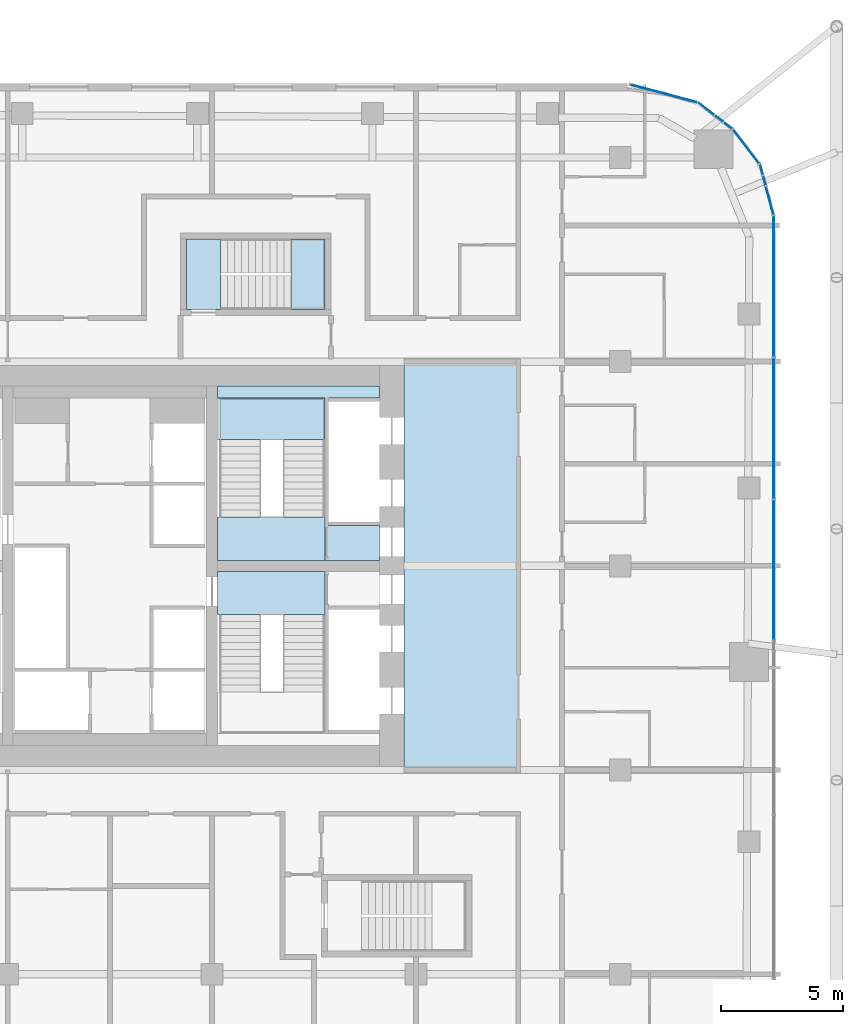
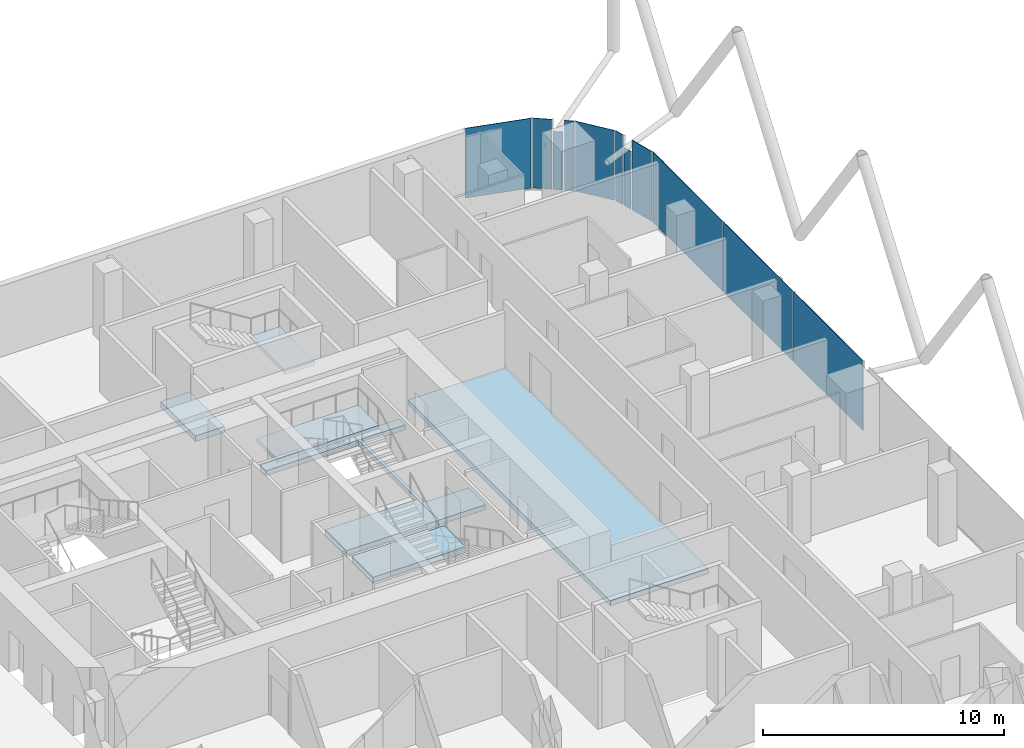
# One storey, part 26 of 36: 11 plates, 7 slabs, 11 elements without a shape of their own.
"""IFC4 building model written with IfcOpenShell, lengths in metres."""

from ifc_helpers import new_model, si_unit, direction, frame, origin, origin_2d, place, context, subcontext, project, spatial, polyline, rectangle, outline, extrude, material, layer, layer_set, type_object, element, aggregate, save


model = new_model("IFC4")

# Units and contexts
model_context = context("Model", 3, precision=1e-05, world=origin(), true_north=direction((0.0, 1.0)))
body_context = subcontext(model_context, "Body", "Model", "MODEL_VIEW")
ifc_project = project(units=[si_unit("LENGTHUNIT", "METRE"), si_unit("AREAUNIT", "SQUARE_METRE"), si_unit("VOLUMEUNIT", "CUBIC_METRE"), si_unit("PLANEANGLEUNIT", "RADIAN"), si_unit("MASSUNIT", "GRAM", prefix="KILO")], contexts=[model_context])

# Site, building, storey
site_placement = place(None, origin())
site = spatial("IfcSite", under=ifc_project, at=site_placement, CompositionType="ELEMENT")
building_placement = place(site_placement, origin())
building = spatial("IfcBuilding", under=site, at=building_placement, Name="Marenta Gate Hotel Tower", CompositionType="ELEMENT")
storey_placement = place(building_placement, frame((0.0, 0.0, 158.89990234375)))
storey = spatial("IfcBuildingStorey", under=building, at=storey_placement, Name="L37", CompositionType="ELEMENT", Elevation=158.89990234375)

# Slabs
ifc_material_1 = material(Name="Concrete C40", Category="concrete")
ifc_layer_1 = layer(ifc_material_1, 0.260009765625)
ifc_layer_set_1 = layer_set([ifc_layer_1], Name="Concrete C40")
slab_type_1 = type_object("IfcSlabType", Name="Core floor slab 260", PredefinedType="FLOOR", material=ifc_layer_set_1)
slab_1_placement = place(storey_placement, frame((0.0, 0.0, -0.260009765625)))
element("IfcSlab", 1, at=slab_1_placement, inside=storey, type_object=slab_type_1, Name="L37-CF-1", PredefinedType="FLOOR", context=body_context, shape_type="SweptSolid", body=[
    extrude(outline(polyline([(12.10009765625, 0.0), (12.10009765625, 16.800048828125), (16.800048828125, 16.800048828125), (16.800048828125, 0.0), (12.10009765625, 0.0)])), origin(), (0.0, 0.0, 1.0), 0.260009765625),
])
slab_2_placement = place(storey_placement, frame((0.0, 0.0, -0.260009765625)))
element("IfcSlab", 2, at=slab_2_placement, inside=storey, type_object=slab_type_1, Name="L37-CF-3", PredefinedType="FLOOR", context=body_context, shape_type="SweptSolid", body=[
    extrude(outline(polyline([(8.85009765625, 15.300048828125), (4.425048828125, 15.300048828125), (4.425048828125, 15.800048828125), (11.10009765625, 15.800048828125), (11.10009765625, 15.300048828125), (9.0, 15.300048828125), (9.0, 15.14990234375), (9.0, 12.75), (9.0, 12.60009765625), (9.0, 10.199951171875), (9.0, 10.050048828125), (11.10009765625, 10.050048828125), (11.10009765625, 8.625), (8.85009765625, 8.625), (8.85009765625, 8.699951171875), (8.85009765625, 10.39990234375), (8.85009765625, 15.300048828125)])), origin(), (0.0, 0.0, 1.0), 0.260009765625),
])

# Stair, slab
ifc_material_2 = material(Name="Concrete C40", Category="concrete")
stair_type_1 = type_object("IfcStairType", Name="Core exit stair 1700 wide", PredefinedType="HALF_TURN_STAIR", material=ifc_material_2)
stair_1_placement = place(storey_placement, origin())
stair_1 = element("IfcStair", 3, at=stair_1_placement, inside=storey, type_object=stair_type_1, Name="Exit stair 4", PredefinedType="HALF_TURN_STAIR")
ifc_material_3 = material(Name="Concrete C40", Category="concrete")
ifc_layer_2 = layer(ifc_material_3, 0.199951171875)
ifc_layer_set_2 = layer_set([ifc_layer_2], Name="Concrete C40")
slab_type_2 = type_object("IfcSlabType", Name="Core stair landing 200", PredefinedType="LANDING", material=ifc_layer_set_2)
slab_3_placement = place(storey_placement, frame((0.0, 0.0, 1.60009765625)))
slab_3 = element("IfcSlab", 4, at=slab_3_placement, type_object=slab_type_2, Name="SL-200 ST4 landing 1", PredefinedType="LANDING", context=body_context, shape_type="SweptSolid", body=[
    extrude(outline(polyline([(3.97509765625, 13.590087890625), (8.85009765625, 13.590087890625), (8.85009765625, 15.300048828125), (3.97509765625, 15.300048828125), (3.97509765625, 13.590087890625)])), origin(), (0.0, 0.0, 1.0), 0.199951171875),
])
aggregate(stair_1, [slab_3])

# Curtain wall, plates
ifc_material_4 = material(Name="Tinted insulated glass in bronze anodised frame", Category="glass")
ifc_layer_3 = layer(ifc_material_4, 0.1201171875)
ifc_layer_set_3 = layer_set([ifc_layer_3], Name="Tinted insulated glass in bronze anodised frame")
curtain_wall_type = type_object("IfcCurtainWallType", Name="Tower unitised curtain wall CW1", PredefinedType="NOTDEFINED", material=ifc_layer_set_3)
curtain_wall_1_placement = place(storey_placement, origin())
curtain_wall_1 = element("IfcCurtainWall", 5, at=curtain_wall_1_placement, inside=storey, type_object=curtain_wall_type, Name="CW1 run G35", PredefinedType="NOTDEFINED")
ifc_material_5 = material(Name="Tinted insulated glass", Category="glass")
ifc_layer_4 = layer(ifc_material_5, 0.028076171875)
ifc_layer_set_4 = layer_set([ifc_layer_4], Name="Tinted insulated glass")
plate_type = type_object("IfcPlateType", Name="Glass panel CW1 28 mm tinted insulated unit", PredefinedType="CURTAIN_PANEL", material=ifc_layer_set_4)
plate_1_placement = place(storey_placement, frame((27.31396484375, 8.2333984375, 0.06005859375), z_axis=(0.0, 0.0, 1.0), x_axis=(0.0, 1.0, 0.0)))
plate_1 = element("IfcPlate", 6, at=plate_1_placement, type_object=plate_type, Name="CW1 panel 1.1", PredefinedType="CURTAIN_PANEL", context=body_context, shape_type="SweptSolid", body=[
    extrude(rectangle(XDim=5.739501953125, YDim=0.028076171875, at=origin_2d()), origin(), (0.0, 0.0, 1.0), 3.5400390625),
])
plate_2_placement = place(storey_placement, frame((27.31396484375, 14.0478515625, 0.06005859375), z_axis=(0.0, 0.0, 1.0), x_axis=(0.0, 1.0, 0.0)))
plate_2 = element("IfcPlate", 7, at=plate_2_placement, type_object=plate_type, Name="CW1 panel 2.1", PredefinedType="CURTAIN_PANEL", context=body_context, shape_type="SweptSolid", body=[
    extrude(rectangle(XDim=5.769287109375, YDim=0.028076171875, at=origin_2d()), origin(), (0.0, 0.0, 1.0), 3.5400390625),
])
plate_3_placement = place(storey_placement, frame((27.31396484375, 19.89208984375, 0.06005859375), z_axis=(0.0, 0.0, 1.0), x_axis=(0.0, 1.0, 0.0)))
plate_3 = element("IfcPlate", 8, at=plate_3_placement, type_object=plate_type, Name="CW1 panel 3.1", PredefinedType="CURTAIN_PANEL", context=body_context, shape_type="SweptSolid", body=[
    extrude(rectangle(XDim=5.79931640625, YDim=0.028076171875, at=origin_2d()), origin(), (0.0, 0.0, 1.0), 3.5400390625),
])
aggregate(curtain_wall_1, [plate_1, plate_2, plate_3])

# Curtain wall, plate
curtain_wall_2_placement = place(storey_placement, origin())
curtain_wall_2 = element("IfcCurtainWall", 9, at=curtain_wall_2_placement, inside=storey, type_object=curtain_wall_type, Name="CW1 run G36", PredefinedType="NOTDEFINED")
plate_4_placement = place(storey_placement, frame((27.14501953125, 23.422607421875, 0.06005859375), z_axis=(0.0, 0.0, 1.0), x_axis=(-0.258816313572, 0.965926558196, 0.0)))
plate_4 = element("IfcPlate", 10, at=plate_4_placement, type_object=plate_type, Name="CW1 panel 1.1", PredefinedType="CURTAIN_PANEL", context=body_context, shape_type="SweptSolid", body=[
    extrude(rectangle(XDim=1.18603515625, YDim=0.028076171875, at=origin_2d()), origin(), (0.0, 0.0, 1.0), 3.5400390625),
])
aggregate(curtain_wall_2, [plate_4])

curtain_wall_3_placement = place(storey_placement, origin())
curtain_wall_3 = element("IfcCurtainWall", 11, at=curtain_wall_3_placement, inside=storey, type_object=curtain_wall_type, Name="CW1 run G37", PredefinedType="NOTDEFINED")
plate_5_placement = place(storey_placement, frame((26.924560546875, 24.2451171875, 0.060302734375), z_axis=(0.0, 0.0, 1.0), x_axis=(-0.258834595648, 0.965921659399, 0.0)))
plate_5 = element("IfcPlate", 12, at=plate_5_placement, type_object=plate_type, Name="CW1 panel 1.1", PredefinedType="CURTAIN_PANEL", context=body_context, shape_type="SweptSolid", body=[
    extrude(rectangle(XDim=0.396728515625, YDim=0.028076171875, at=origin_2d()), origin(), (0.0, 0.0, 1.0), 2.9404296875),
])
aggregate(curtain_wall_3, [plate_5])

curtain_wall_4_placement = place(storey_placement, origin())
curtain_wall_4 = element("IfcCurtainWall", 13, at=curtain_wall_4_placement, inside=storey, type_object=curtain_wall_type, Name="CW1 run G38", PredefinedType="NOTDEFINED")
plate_6_placement = place(storey_placement, frame((26.802001953125, 24.702880859375, 0.06005859375), z_axis=(0.0, 0.0, 1.0), x_axis=(-0.258827623196, 0.965923527755, 0.0)))
plate_6 = element("IfcPlate", 14, at=plate_6_placement, type_object=plate_type, Name="CW1 panel 1.1", PredefinedType="CURTAIN_PANEL", context=body_context, shape_type="SweptSolid", body=[
    extrude(rectangle(XDim=0.431396484375, YDim=0.028076171875, at=origin_2d()), origin(), (0.0, 0.0, 1.0), 3.5400390625),
])
aggregate(curtain_wall_4, [plate_6])

curtain_wall_5_placement = place(storey_placement, origin())
curtain_wall_5 = element("IfcCurtainWall", 15, at=curtain_wall_5_placement, inside=storey, type_object=curtain_wall_type, Name="CW1 run G39", PredefinedType="NOTDEFINED")
plate_7_placement = place(storey_placement, frame((26.177490234375, 25.652099609375, 0.06005859375), z_axis=(0.0, 0.0, 1.0), x_axis=(-0.608796116694, 0.793326722289, 0.0)))
plate_7 = element("IfcPlate", 16, at=plate_7_placement, type_object=plate_type, Name="CW1 panel 1.1", PredefinedType="CURTAIN_PANEL", context=body_context, shape_type="SweptSolid", body=[
    extrude(rectangle(XDim=1.747802734375, YDim=0.028076171875, at=origin_2d()), origin(), (0.0, 0.0, 1.0), 3.5400390625),
])
aggregate(curtain_wall_5, [plate_7])

curtain_wall_6_placement = place(storey_placement, origin())
curtain_wall_6 = element("IfcCurtainWall", 17, at=curtain_wall_6_placement, inside=storey, type_object=curtain_wall_type, Name="CW1 run G40", PredefinedType="NOTDEFINED")
plate_8_placement = place(storey_placement, frame((25.4345703125, 26.50732421875, 0.06005859375), z_axis=(0.0, 0.0, 1.0), x_axis=(-0.793340265701, 0.608778467767, 0.0)))
plate_8 = element("IfcPlate", 18, at=plate_8_placement, type_object=plate_type, Name="CW1 panel 1.1", PredefinedType="CURTAIN_PANEL", context=body_context, shape_type="SweptSolid", body=[
    extrude(rectangle(XDim=0.411865234375, YDim=0.028076171875, at=origin_2d()), origin(), (0.0, 0.0, 1.0), 3.5400390625),
])
aggregate(curtain_wall_6, [plate_8])

curtain_wall_7_placement = place(storey_placement, origin())
curtain_wall_7 = element("IfcCurtainWall", 19, at=curtain_wall_7_placement, inside=storey, type_object=curtain_wall_type, Name="CW1 run G41", PredefinedType="NOTDEFINED")
plate_9_placement = place(storey_placement, frame((25.06201171875, 26.793212890625, 0.060302734375), z_axis=(0.0, 0.0, 1.0), x_axis=(-0.79337187392, 0.608737274752, 0.0)))
plate_9 = element("IfcPlate", 20, at=plate_9_placement, type_object=plate_type, Name="CW1 panel 1.1", PredefinedType="CURTAIN_PANEL", context=body_context, shape_type="SweptSolid", body=[
    extrude(rectangle(XDim=0.406982421875, YDim=0.028076171875, at=origin_2d()), origin(), (0.0, 0.0, 1.0), 2.9404296875),
])
aggregate(curtain_wall_7, [plate_9])

curtain_wall_8_placement = place(storey_placement, origin())
curtain_wall_8 = element("IfcCurtainWall", 21, at=curtain_wall_8_placement, inside=storey, type_object=curtain_wall_type, Name="CW1 run G42", PredefinedType="NOTDEFINED")
plate_10_placement = place(storey_placement, frame((24.5322265625, 27.19970703125, 0.06005859375), z_axis=(0.0, 0.0, 1.0), x_axis=(-0.793295108539, 0.608837310591, 0.0)))
plate_10 = element("IfcPlate", 22, at=plate_10_placement, type_object=plate_type, Name="CW1 panel 1.1", PredefinedType="CURTAIN_PANEL", context=body_context, shape_type="SweptSolid", body=[
    extrude(rectangle(XDim=0.80908203125, YDim=0.028076171875, at=origin_2d()), origin(), (0.0, 0.0, 1.0), 3.5400390625),
])
aggregate(curtain_wall_8, [plate_10])

curtain_wall_9_placement = place(storey_placement, origin())
curtain_wall_9 = element("IfcCurtainWall", 23, at=curtain_wall_9_placement, inside=storey, type_object=curtain_wall_type, Name="CW1 run G43", PredefinedType="NOTDEFINED")
plate_11_placement = place(storey_placement, frame((22.783935546875, 27.82861328125, 0.06005859375), z_axis=(0.0, 0.0, 1.0), x_axis=(-0.965929324305, 0.258805989975, 0.0)))
plate_11 = element("IfcPlate", 24, at=plate_11_placement, type_object=plate_type, Name="CW1 panel 1.1", PredefinedType="CURTAIN_PANEL", context=body_context, shape_type="SweptSolid", body=[
    extrude(rectangle(XDim=2.83544921875, YDim=0.028076171875, at=origin_2d()), origin(), (0.0, 0.0, 1.0), 3.5400390625),
])
aggregate(curtain_wall_9, [plate_11])

# Stair, slab
ifc_material_6 = material(Name="Concrete C40", Category="concrete")
stair_type_2 = type_object("IfcStairType", Name="Remote exit stair 1400 wide", PredefinedType="HALF_TURN_STAIR", material=ifc_material_6)
stair_2_placement = place(storey_placement, origin())
stair_2 = element("IfcStair", 25, at=stair_2_placement, inside=storey, type_object=stair_type_2, Name="Exit stair RS-Z2-4", PredefinedType="HALF_TURN_STAIR")
ifc_material_7 = material(Name="Concrete C40", Category="concrete")
ifc_layer_5 = layer(ifc_material_7, 0.199951171875)
ifc_layer_set_5 = layer_set([ifc_layer_5], Name="Concrete C40")
slab_type_3 = type_object("IfcSlabType", Name="Remote stair landing 200", PredefinedType="LANDING", material=ifc_layer_set_5)
slab_4_placement = place(storey_placement, frame((0.0, 0.0, 1.60009765625)))
slab_4 = element("IfcSlab", 26, at=slab_4_placement, type_object=slab_type_3, Name="RL-200 RS-Z2-4 landing 1", PredefinedType="LANDING", context=body_context, shape_type="SweptSolid", body=[
    extrude(outline(polyline([(7.449951171875, 18.949951171875), (8.85009765625, 18.949951171875), (8.85009765625, 21.85009765625), (7.449951171875, 21.85009765625), (7.449951171875, 18.949951171875)])), origin(), (0.0, 0.0, 1.0), 0.199951171875),
])
aggregate(stair_2, [slab_4])

# Slabs
ifc_material_8 = material(Name="Concrete C40", Category="concrete")
ifc_layer_6 = layer(ifc_material_8, 0.300048828125)
ifc_layer_set_6 = layer_set([ifc_layer_6], Name="Concrete C40")
slab_type_4 = type_object("IfcSlabType", Name="Stair floor landing slab 300", PredefinedType="FLOOR", material=ifc_layer_set_6)
slab_5_placement = place(storey_placement, frame((0.0, 0.0, -0.2998046875)))
element("IfcSlab", 27, at=slab_5_placement, inside=storey, type_object=slab_type_4, Name="L37-CL-ST3-1", PredefinedType="FLOOR", context=body_context, shape_type="SweptSolid", body=[
    extrude(outline(polyline([(4.425048828125, 6.39990234375), (4.425048828125, 8.175048828125), (8.85009765625, 8.175048828125), (8.85009765625, 8.10009765625), (8.85009765625, 6.39990234375), (4.425048828125, 6.39990234375)])), origin(), (0.0, 0.0, 1.0), 0.2998046875),
])
slab_6_placement = place(storey_placement, frame((0.0, 0.0, -0.2998046875)))
element("IfcSlab", 28, at=slab_6_placement, inside=storey, type_object=slab_type_4, Name="L37-CL-ST4-1", PredefinedType="FLOOR", context=body_context, shape_type="SweptSolid", body=[
    extrude(outline(polyline([(4.425048828125, 8.625), (4.425048828125, 10.39990234375), (8.85009765625, 10.39990234375), (8.85009765625, 8.699951171875), (8.85009765625, 8.625), (4.425048828125, 8.625)])), origin(), (0.0, 0.0, 1.0), 0.2998046875),
])
slab_7_placement = place(storey_placement, frame((0.0, 0.0, -0.2998046875)))
element("IfcSlab", 29, at=slab_7_placement, inside=storey, type_object=slab_type_4, Name="L37-RS-Z2-4-CL", PredefinedType="FLOOR", context=body_context, shape_type="SweptSolid", body=[
    extrude(outline(polyline([(4.550048828125, 18.949951171875), (4.550048828125, 21.85009765625), (3.14990234375, 21.85009765625), (3.14990234375, 18.949951171875), (4.550048828125, 18.949951171875)])), origin(), (0.0, 0.0, 1.0), 0.2998046875),
])

save(model, "model.ifc")
